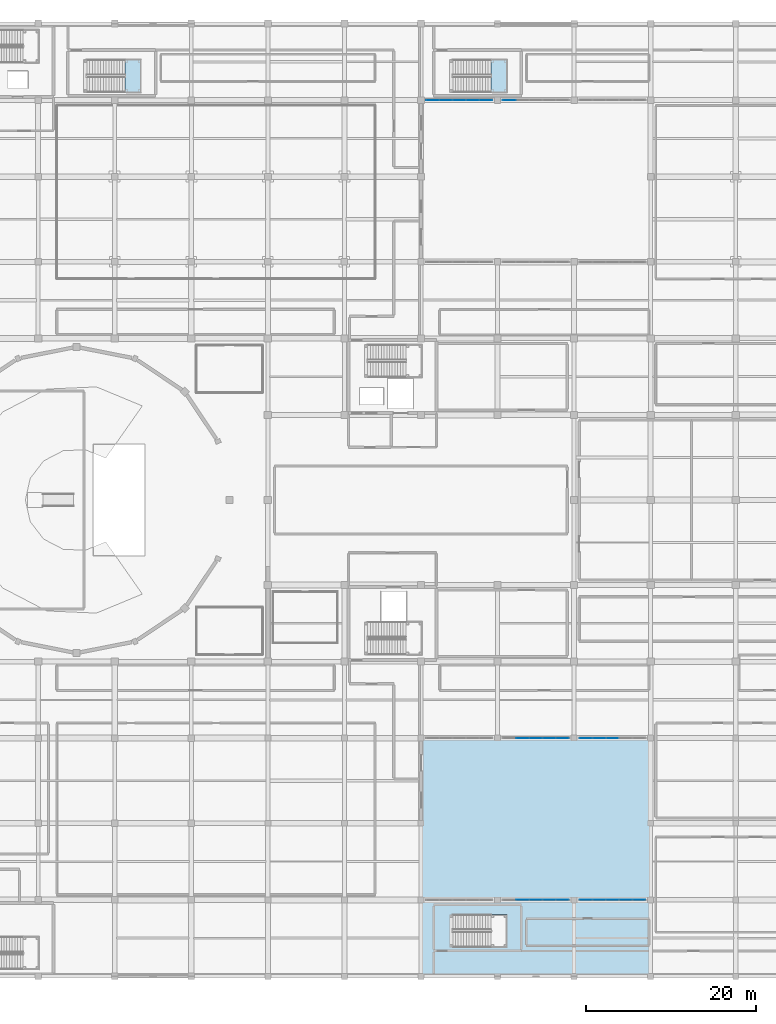
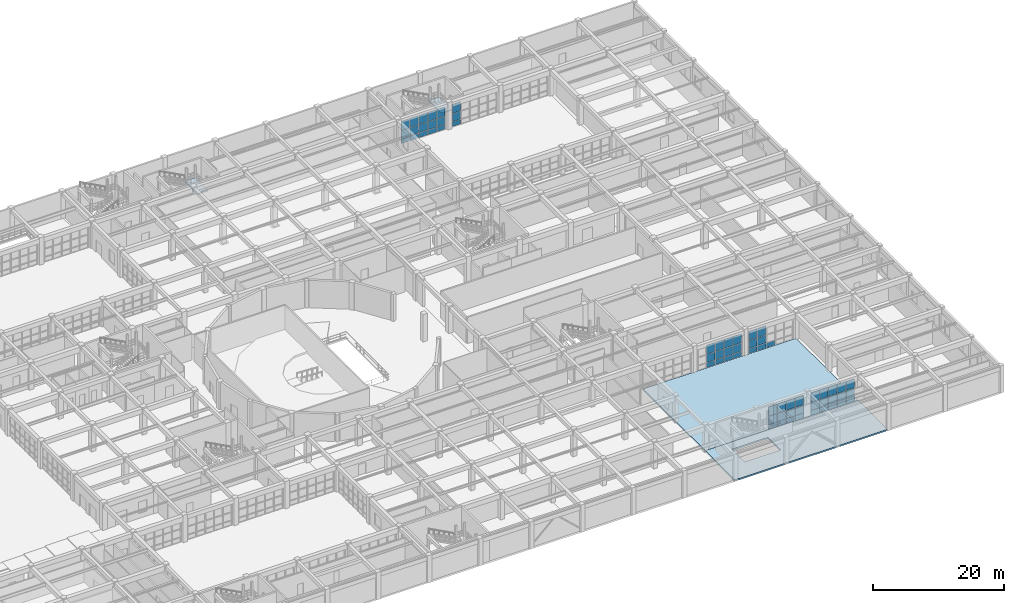
# One storey, part 92 of 128: 64 plates, 4 slabs, 8 elements without a shape of their own.
"""IFC4 building model written with IfcOpenShell, lengths in metres."""

from ifc_helpers import new_model, si_unit, direction, frame, origin, origin_2d, place, context, subcontext, project, spatial, polyline, rectangle, outline, extrude, material, layer, layer_set, type_object, element, aggregate, save


model = new_model("IFC4")

# Units and contexts
model_context = context("Model", 3, precision=1e-05, world=origin(), true_north=direction((0.0, 1.0)))
body_context = subcontext(model_context, "Body", "Model", "MODEL_VIEW")
ifc_project = project(units=[si_unit("LENGTHUNIT", "METRE"), si_unit("AREAUNIT", "SQUARE_METRE"), si_unit("VOLUMEUNIT", "CUBIC_METRE"), si_unit("PLANEANGLEUNIT", "RADIAN"), si_unit("MASSUNIT", "GRAM", prefix="KILO")], contexts=[model_context])

# Site, building, storey
site_placement = place(None, origin())
site = spatial("IfcSite", under=ifc_project, at=site_placement, CompositionType="ELEMENT")
building_placement = place(site_placement, origin())
building = spatial("IfcBuilding", under=site, at=building_placement, Name="Miravela Opera House", CompositionType="ELEMENT")
storey_placement = place(building_placement, origin())
storey = spatial("IfcBuildingStorey", under=building, at=storey_placement, Name="L00", CompositionType="ELEMENT", Elevation=0.0)

# Curtain wall, plates
ifc_material_1 = material(Name="Anodised architectural bronze aluminium 6063-T6", Category="aluminium")
curtain_wall_type_1 = type_object("IfcCurtainWallType", Name="ARC-CW-05", PredefinedType="NOTDEFINED", material=ifc_material_1)
curtain_wall_1_placement = place(storey_placement, origin())
curtain_wall_1 = element("IfcCurtainWall", 1, at=curtain_wall_1_placement, inside=storey, type_object=curtain_wall_type_1, Name="Courtyard Arcade Curtain Wall CW-L00-157", PredefinedType="NOTDEFINED")
ifc_material_2 = material(Name="Acoustic laminated low-E insulating glass", Category="glass")
ifc_layer_1 = layer(ifc_material_2, 0.028076171875)
ifc_layer_set_1 = layer_set([ifc_layer_1])
plate_type = type_object("IfcPlateType", Name="ARC-CWP-28", PredefinedType="CURTAIN_PANEL", material=ifc_layer_set_1)
plate_1_placement = place(storey_placement, frame((118.37890625, 103.0, 0.06005859375), z_axis=(0.0, 0.0, 1.0), x_axis=(1.0, 0.0, 0.0)))
plate_1 = element("IfcPlate", 2, at=plate_1_placement, type_object=plate_type, Name="CW-05 panel 1.1", PredefinedType="CURTAIN_PANEL", context=body_context, shape_type="SweptSolid", body=[
    extrude(rectangle(XDim=1.47802734375, YDim=0.028076171875, at=origin_2d()), origin(), (0.0, 0.0, 1.0), 0.860107421875),
])
plate_2_placement = place(storey_placement, frame((118.37890625, 103.0, 0.97998046875), z_axis=(0.0, 0.0, 1.0), x_axis=(1.0, 0.0, 0.0)))
plate_2 = element("IfcPlate", 3, at=plate_2_placement, type_object=plate_type, Name="CW-05 panel 1.2", PredefinedType="CURTAIN_PANEL", context=body_context, shape_type="SweptSolid", body=[
    extrude(rectangle(XDim=1.47802734375, YDim=0.028076171875, at=origin_2d()), origin(), (0.0, 0.0, 1.0), 1.48388671875),
])
plate_3_placement = place(storey_placement, frame((118.37890625, 103.0, 2.52392578125), z_axis=(0.0, 0.0, 1.0), x_axis=(1.0, 0.0, 0.0)))
plate_3 = element("IfcPlate", 4, at=plate_3_placement, type_object=plate_type, Name="CW-05 panel 1.3", PredefinedType="CURTAIN_PANEL", context=body_context, shape_type="SweptSolid", body=[
    extrude(rectangle(XDim=1.47802734375, YDim=0.028076171875, at=origin_2d()), origin(), (0.0, 0.0, 1.0), 1.716064453125),
])
plate_4_placement = place(storey_placement, frame((119.931884765625, 103.0, 0.06005859375), z_axis=(0.0, 0.0, 1.0), x_axis=(1.0, 0.0, 0.0)))
plate_4 = element("IfcPlate", 5, at=plate_4_placement, type_object=plate_type, Name="CW-05 panel 2.1", PredefinedType="CURTAIN_PANEL", context=body_context, shape_type="SweptSolid", body=[
    extrude(rectangle(XDim=1.508056640625, YDim=0.028076171875, at=origin_2d()), origin(), (0.0, 0.0, 1.0), 0.860107421875),
])
plate_5_placement = place(storey_placement, frame((119.931884765625, 103.0, 0.97998046875), z_axis=(0.0, 0.0, 1.0), x_axis=(1.0, 0.0, 0.0)))
plate_5 = element("IfcPlate", 6, at=plate_5_placement, type_object=plate_type, Name="CW-05 panel 2.2", PredefinedType="CURTAIN_PANEL", context=body_context, shape_type="SweptSolid", body=[
    extrude(rectangle(XDim=1.508056640625, YDim=0.028076171875, at=origin_2d()), origin(), (0.0, 0.0, 1.0), 1.48388671875),
])
plate_6_placement = place(storey_placement, frame((119.931884765625, 103.0, 2.52392578125), z_axis=(0.0, 0.0, 1.0), x_axis=(1.0, 0.0, 0.0)))
plate_6 = element("IfcPlate", 7, at=plate_6_placement, type_object=plate_type, Name="CW-05 panel 2.3", PredefinedType="CURTAIN_PANEL", context=body_context, shape_type="SweptSolid", body=[
    extrude(rectangle(XDim=1.508056640625, YDim=0.028076171875, at=origin_2d()), origin(), (0.0, 0.0, 1.0), 1.716064453125),
])
plate_7_placement = place(storey_placement, frame((121.5, 103.0, 0.06005859375), z_axis=(0.0, 0.0, 1.0), x_axis=(1.0, 0.0, 0.0)))
plate_7 = element("IfcPlate", 8, at=plate_7_placement, type_object=plate_type, Name="CW-05 panel 3.1", PredefinedType="CURTAIN_PANEL", context=body_context, shape_type="SweptSolid", body=[
    extrude(rectangle(XDim=1.508056640625, YDim=0.028076171875, at=origin_2d()), origin(), (0.0, 0.0, 1.0), 0.860107421875),
])
plate_8_placement = place(storey_placement, frame((121.5, 103.0, 0.97998046875), z_axis=(0.0, 0.0, 1.0), x_axis=(1.0, 0.0, 0.0)))
plate_8 = element("IfcPlate", 9, at=plate_8_placement, type_object=plate_type, Name="CW-05 panel 3.2", PredefinedType="CURTAIN_PANEL", context=body_context, shape_type="SweptSolid", body=[
    extrude(rectangle(XDim=1.508056640625, YDim=0.028076171875, at=origin_2d()), origin(), (0.0, 0.0, 1.0), 1.48388671875),
])
plate_9_placement = place(storey_placement, frame((121.5, 103.0, 2.52392578125), z_axis=(0.0, 0.0, 1.0), x_axis=(1.0, 0.0, 0.0)))
plate_9 = element("IfcPlate", 10, at=plate_9_placement, type_object=plate_type, Name="CW-05 panel 3.3", PredefinedType="CURTAIN_PANEL", context=body_context, shape_type="SweptSolid", body=[
    extrude(rectangle(XDim=1.508056640625, YDim=0.028076171875, at=origin_2d()), origin(), (0.0, 0.0, 1.0), 1.716064453125),
])
plate_10_placement = place(storey_placement, frame((123.068115234375, 103.0, 0.06005859375), z_axis=(0.0, 0.0, 1.0), x_axis=(1.0, 0.0, 0.0)))
plate_10 = element("IfcPlate", 11, at=plate_10_placement, type_object=plate_type, Name="CW-05 panel 4.1", PredefinedType="CURTAIN_PANEL", context=body_context, shape_type="SweptSolid", body=[
    extrude(rectangle(XDim=1.508056640625, YDim=0.028076171875, at=origin_2d()), origin(), (0.0, 0.0, 1.0), 0.860107421875),
])
plate_11_placement = place(storey_placement, frame((123.068115234375, 103.0, 0.97998046875), z_axis=(0.0, 0.0, 1.0), x_axis=(1.0, 0.0, 0.0)))
plate_11 = element("IfcPlate", 12, at=plate_11_placement, type_object=plate_type, Name="CW-05 panel 4.2", PredefinedType="CURTAIN_PANEL", context=body_context, shape_type="SweptSolid", body=[
    extrude(rectangle(XDim=1.508056640625, YDim=0.028076171875, at=origin_2d()), origin(), (0.0, 0.0, 1.0), 1.48388671875),
])
plate_12_placement = place(storey_placement, frame((123.068115234375, 103.0, 2.52392578125), z_axis=(0.0, 0.0, 1.0), x_axis=(1.0, 0.0, 0.0)))
plate_12 = element("IfcPlate", 13, at=plate_12_placement, type_object=plate_type, Name="CW-05 panel 4.3", PredefinedType="CURTAIN_PANEL", context=body_context, shape_type="SweptSolid", body=[
    extrude(rectangle(XDim=1.508056640625, YDim=0.028076171875, at=origin_2d()), origin(), (0.0, 0.0, 1.0), 1.716064453125),
])
plate_13_placement = place(storey_placement, frame((124.62109375, 103.0, 0.06005859375), z_axis=(0.0, 0.0, 1.0), x_axis=(1.0, 0.0, 0.0)))
plate_13 = element("IfcPlate", 14, at=plate_13_placement, type_object=plate_type, Name="CW-05 panel 5.1", PredefinedType="CURTAIN_PANEL", context=body_context, shape_type="SweptSolid", body=[
    extrude(rectangle(XDim=1.47802734375, YDim=0.028076171875, at=origin_2d()), origin(), (0.0, 0.0, 1.0), 0.860107421875),
])
plate_14_placement = place(storey_placement, frame((124.62109375, 103.0, 0.97998046875), z_axis=(0.0, 0.0, 1.0), x_axis=(1.0, 0.0, 0.0)))
plate_14 = element("IfcPlate", 15, at=plate_14_placement, type_object=plate_type, Name="CW-05 panel 5.2", PredefinedType="CURTAIN_PANEL", context=body_context, shape_type="SweptSolid", body=[
    extrude(rectangle(XDim=1.47802734375, YDim=0.028076171875, at=origin_2d()), origin(), (0.0, 0.0, 1.0), 1.48388671875),
])
plate_15_placement = place(storey_placement, frame((124.62109375, 103.0, 2.52392578125), z_axis=(0.0, 0.0, 1.0), x_axis=(1.0, 0.0, 0.0)))
plate_15 = element("IfcPlate", 16, at=plate_15_placement, type_object=plate_type, Name="CW-05 panel 5.3", PredefinedType="CURTAIN_PANEL", context=body_context, shape_type="SweptSolid", body=[
    extrude(rectangle(XDim=1.47802734375, YDim=0.028076171875, at=origin_2d()), origin(), (0.0, 0.0, 1.0), 1.716064453125),
])
aggregate(curtain_wall_1, [plate_1, plate_2, plate_3, plate_4, plate_5, plate_6, plate_7, plate_8, plate_9, plate_10, plate_11, plate_12, plate_13, plate_14, plate_15])

curtain_wall_2_placement = place(storey_placement, origin())
curtain_wall_2 = element("IfcCurtainWall", 17, at=curtain_wall_2_placement, inside=storey, type_object=curtain_wall_type_1, Name="Courtyard Arcade Curtain Wall CW-L00-161", PredefinedType="NOTDEFINED")
plate_16_placement = place(storey_placement, frame((127.37890625, 103.0, 0.06005859375), z_axis=(0.0, 0.0, 1.0), x_axis=(1.0, 0.0, 0.0)))
plate_16 = element("IfcPlate", 18, at=plate_16_placement, type_object=plate_type, Name="CW-05 panel 1.1", PredefinedType="CURTAIN_PANEL", context=body_context, shape_type="SweptSolid", body=[
    extrude(rectangle(XDim=1.47802734375, YDim=0.028076171875, at=origin_2d()), origin(), (0.0, 0.0, 1.0), 0.860107421875),
])
plate_17_placement = place(storey_placement, frame((127.37890625, 103.0, 0.97998046875), z_axis=(0.0, 0.0, 1.0), x_axis=(1.0, 0.0, 0.0)))
plate_17 = element("IfcPlate", 19, at=plate_17_placement, type_object=plate_type, Name="CW-05 panel 1.2", PredefinedType="CURTAIN_PANEL", context=body_context, shape_type="SweptSolid", body=[
    extrude(rectangle(XDim=1.47802734375, YDim=0.028076171875, at=origin_2d()), origin(), (0.0, 0.0, 1.0), 1.48388671875),
])
plate_18_placement = place(storey_placement, frame((127.37890625, 103.0, 2.52392578125), z_axis=(0.0, 0.0, 1.0), x_axis=(1.0, 0.0, 0.0)))
plate_18 = element("IfcPlate", 20, at=plate_18_placement, type_object=plate_type, Name="CW-05 panel 1.3", PredefinedType="CURTAIN_PANEL", context=body_context, shape_type="SweptSolid", body=[
    extrude(rectangle(XDim=1.47802734375, YDim=0.028076171875, at=origin_2d()), origin(), (0.0, 0.0, 1.0), 1.716064453125),
])
aggregate(curtain_wall_2, [plate_16, plate_17, plate_18])

curtain_wall_type_2 = type_object("IfcCurtainWallType", Name="ARC-CW-06", PredefinedType="NOTDEFINED", material=ifc_material_1)
curtain_wall_3_placement = place(storey_placement, origin())
curtain_wall_3 = element("IfcCurtainWall", 21, at=curtain_wall_3_placement, inside=storey, type_object=curtain_wall_type_2, Name="Courtyard Arcade Curtain Wall CW-L00-162", PredefinedType="NOTDEFINED")
plate_19_placement = place(storey_placement, frame((128.931884765625, 28.0, 0.06005859375), z_axis=(0.0, 0.0, 1.0), x_axis=(1.0, 0.0, 0.0)))
plate_19 = element("IfcPlate", 22, at=plate_19_placement, type_object=plate_type, Name="CW-06 panel 2.1", PredefinedType="CURTAIN_PANEL", context=body_context, shape_type="SweptSolid", body=[
    extrude(rectangle(XDim=1.508056640625, YDim=0.028076171875, at=origin_2d()), origin(), (0.0, 0.0, 1.0), 0.860107421875),
])
plate_20_placement = place(storey_placement, frame((128.931884765625, 28.0, 0.97998046875), z_axis=(0.0, 0.0, 1.0), x_axis=(1.0, 0.0, 0.0)))
plate_20 = element("IfcPlate", 23, at=plate_20_placement, type_object=plate_type, Name="CW-06 panel 2.2", PredefinedType="CURTAIN_PANEL", context=body_context, shape_type="SweptSolid", body=[
    extrude(rectangle(XDim=1.508056640625, YDim=0.028076171875, at=origin_2d()), origin(), (0.0, 0.0, 1.0), 1.48388671875),
])
plate_21_placement = place(storey_placement, frame((128.931884765625, 28.0, 2.52392578125), z_axis=(0.0, 0.0, 1.0), x_axis=(1.0, 0.0, 0.0)))
plate_21 = element("IfcPlate", 24, at=plate_21_placement, type_object=plate_type, Name="CW-06 panel 2.3", PredefinedType="CURTAIN_PANEL", context=body_context, shape_type="SweptSolid", body=[
    extrude(rectangle(XDim=1.508056640625, YDim=0.028076171875, at=origin_2d()), origin(), (0.0, 0.0, 1.0), 1.716064453125),
])
plate_22_placement = place(storey_placement, frame((130.5, 28.0, 0.06005859375), z_axis=(0.0, 0.0, 1.0), x_axis=(1.0, 0.0, 0.0)))
plate_22 = element("IfcPlate", 25, at=plate_22_placement, type_object=plate_type, Name="CW-06 panel 3.1", PredefinedType="CURTAIN_PANEL", context=body_context, shape_type="SweptSolid", body=[
    extrude(rectangle(XDim=1.508056640625, YDim=0.028076171875, at=origin_2d()), origin(), (0.0, 0.0, 1.0), 0.860107421875),
])
plate_23_placement = place(storey_placement, frame((130.5, 28.0, 0.97998046875), z_axis=(0.0, 0.0, 1.0), x_axis=(1.0, 0.0, 0.0)))
plate_23 = element("IfcPlate", 26, at=plate_23_placement, type_object=plate_type, Name="CW-06 panel 3.2", PredefinedType="CURTAIN_PANEL", context=body_context, shape_type="SweptSolid", body=[
    extrude(rectangle(XDim=1.508056640625, YDim=0.028076171875, at=origin_2d()), origin(), (0.0, 0.0, 1.0), 1.48388671875),
])
plate_24_placement = place(storey_placement, frame((130.5, 28.0, 2.52392578125), z_axis=(0.0, 0.0, 1.0), x_axis=(1.0, 0.0, 0.0)))
plate_24 = element("IfcPlate", 27, at=plate_24_placement, type_object=plate_type, Name="CW-06 panel 3.3", PredefinedType="CURTAIN_PANEL", context=body_context, shape_type="SweptSolid", body=[
    extrude(rectangle(XDim=1.508056640625, YDim=0.028076171875, at=origin_2d()), origin(), (0.0, 0.0, 1.0), 1.716064453125),
])
plate_25_placement = place(storey_placement, frame((132.068115234375, 28.0, 0.06005859375), z_axis=(0.0, 0.0, 1.0), x_axis=(1.0, 0.0, 0.0)))
plate_25 = element("IfcPlate", 28, at=plate_25_placement, type_object=plate_type, Name="CW-06 panel 4.1", PredefinedType="CURTAIN_PANEL", context=body_context, shape_type="SweptSolid", body=[
    extrude(rectangle(XDim=1.508056640625, YDim=0.028076171875, at=origin_2d()), origin(), (0.0, 0.0, 1.0), 0.860107421875),
])
plate_26_placement = place(storey_placement, frame((132.068115234375, 28.0, 0.97998046875), z_axis=(0.0, 0.0, 1.0), x_axis=(1.0, 0.0, 0.0)))
plate_26 = element("IfcPlate", 29, at=plate_26_placement, type_object=plate_type, Name="CW-06 panel 4.2", PredefinedType="CURTAIN_PANEL", context=body_context, shape_type="SweptSolid", body=[
    extrude(rectangle(XDim=1.508056640625, YDim=0.028076171875, at=origin_2d()), origin(), (0.0, 0.0, 1.0), 1.48388671875),
])
plate_27_placement = place(storey_placement, frame((132.068115234375, 28.0, 2.52392578125), z_axis=(0.0, 0.0, 1.0), x_axis=(1.0, 0.0, 0.0)))
plate_27 = element("IfcPlate", 30, at=plate_27_placement, type_object=plate_type, Name="CW-06 panel 4.3", PredefinedType="CURTAIN_PANEL", context=body_context, shape_type="SweptSolid", body=[
    extrude(rectangle(XDim=1.508056640625, YDim=0.028076171875, at=origin_2d()), origin(), (0.0, 0.0, 1.0), 1.716064453125),
])
plate_28_placement = place(storey_placement, frame((133.62109375, 28.0, 0.06005859375), z_axis=(0.0, 0.0, 1.0), x_axis=(1.0, 0.0, 0.0)))
plate_28 = element("IfcPlate", 31, at=plate_28_placement, type_object=plate_type, Name="CW-06 panel 5.1", PredefinedType="CURTAIN_PANEL", context=body_context, shape_type="SweptSolid", body=[
    extrude(rectangle(XDim=1.47802734375, YDim=0.028076171875, at=origin_2d()), origin(), (0.0, 0.0, 1.0), 0.860107421875),
])
plate_29_placement = place(storey_placement, frame((133.62109375, 28.0, 0.97998046875), z_axis=(0.0, 0.0, 1.0), x_axis=(1.0, 0.0, 0.0)))
plate_29 = element("IfcPlate", 32, at=plate_29_placement, type_object=plate_type, Name="CW-06 panel 5.2", PredefinedType="CURTAIN_PANEL", context=body_context, shape_type="SweptSolid", body=[
    extrude(rectangle(XDim=1.47802734375, YDim=0.028076171875, at=origin_2d()), origin(), (0.0, 0.0, 1.0), 1.48388671875),
])
plate_30_placement = place(storey_placement, frame((133.62109375, 28.0, 2.52392578125), z_axis=(0.0, 0.0, 1.0), x_axis=(1.0, 0.0, 0.0)))
plate_30 = element("IfcPlate", 33, at=plate_30_placement, type_object=plate_type, Name="CW-06 panel 5.3", PredefinedType="CURTAIN_PANEL", context=body_context, shape_type="SweptSolid", body=[
    extrude(rectangle(XDim=1.47802734375, YDim=0.028076171875, at=origin_2d()), origin(), (0.0, 0.0, 1.0), 1.716064453125),
])
aggregate(curtain_wall_3, [plate_19, plate_20, plate_21, plate_22, plate_23, plate_24, plate_25, plate_26, plate_27, plate_28, plate_29, plate_30])

curtain_wall_4_placement = place(storey_placement, origin())
curtain_wall_4 = element("IfcCurtainWall", 34, at=curtain_wall_4_placement, inside=storey, type_object=curtain_wall_type_2, Name="Courtyard Arcade Curtain Wall CW-L00-163", PredefinedType="NOTDEFINED")
plate_31_placement = place(storey_placement, frame((128.931884765625, 9.0, 0.06005859375), z_axis=(0.0, 0.0, 1.0), x_axis=(1.0, 0.0, 0.0)))
plate_31 = element("IfcPlate", 35, at=plate_31_placement, type_object=plate_type, Name="CW-06 panel 2.1", PredefinedType="CURTAIN_PANEL", context=body_context, shape_type="SweptSolid", body=[
    extrude(rectangle(XDim=1.508056640625, YDim=0.028076171875, at=origin_2d()), origin(), (0.0, 0.0, 1.0), 0.860107421875),
])
plate_32_placement = place(storey_placement, frame((128.931884765625, 9.0, 0.97998046875), z_axis=(0.0, 0.0, 1.0), x_axis=(1.0, 0.0, 0.0)))
plate_32 = element("IfcPlate", 36, at=plate_32_placement, type_object=plate_type, Name="CW-06 panel 2.2", PredefinedType="CURTAIN_PANEL", context=body_context, shape_type="SweptSolid", body=[
    extrude(rectangle(XDim=1.508056640625, YDim=0.028076171875, at=origin_2d()), origin(), (0.0, 0.0, 1.0), 1.48388671875),
])
plate_33_placement = place(storey_placement, frame((128.931884765625, 9.0, 2.52392578125), z_axis=(0.0, 0.0, 1.0), x_axis=(1.0, 0.0, 0.0)))
plate_33 = element("IfcPlate", 37, at=plate_33_placement, type_object=plate_type, Name="CW-06 panel 2.3", PredefinedType="CURTAIN_PANEL", context=body_context, shape_type="SweptSolid", body=[
    extrude(rectangle(XDim=1.508056640625, YDim=0.028076171875, at=origin_2d()), origin(), (0.0, 0.0, 1.0), 1.716064453125),
])
plate_34_placement = place(storey_placement, frame((130.5, 9.0, 0.06005859375), z_axis=(0.0, 0.0, 1.0), x_axis=(1.0, 0.0, 0.0)))
plate_34 = element("IfcPlate", 38, at=plate_34_placement, type_object=plate_type, Name="CW-06 panel 3.1", PredefinedType="CURTAIN_PANEL", context=body_context, shape_type="SweptSolid", body=[
    extrude(rectangle(XDim=1.508056640625, YDim=0.028076171875, at=origin_2d()), origin(), (0.0, 0.0, 1.0), 0.860107421875),
])
plate_35_placement = place(storey_placement, frame((130.5, 9.0, 0.97998046875), z_axis=(0.0, 0.0, 1.0), x_axis=(1.0, 0.0, 0.0)))
plate_35 = element("IfcPlate", 39, at=plate_35_placement, type_object=plate_type, Name="CW-06 panel 3.2", PredefinedType="CURTAIN_PANEL", context=body_context, shape_type="SweptSolid", body=[
    extrude(rectangle(XDim=1.508056640625, YDim=0.028076171875, at=origin_2d()), origin(), (0.0, 0.0, 1.0), 1.48388671875),
])
plate_36_placement = place(storey_placement, frame((130.5, 9.0, 2.52392578125), z_axis=(0.0, 0.0, 1.0), x_axis=(1.0, 0.0, 0.0)))
plate_36 = element("IfcPlate", 40, at=plate_36_placement, type_object=plate_type, Name="CW-06 panel 3.3", PredefinedType="CURTAIN_PANEL", context=body_context, shape_type="SweptSolid", body=[
    extrude(rectangle(XDim=1.508056640625, YDim=0.028076171875, at=origin_2d()), origin(), (0.0, 0.0, 1.0), 1.716064453125),
])
plate_37_placement = place(storey_placement, frame((132.068115234375, 9.0, 0.06005859375), z_axis=(0.0, 0.0, 1.0), x_axis=(1.0, 0.0, 0.0)))
plate_37 = element("IfcPlate", 41, at=plate_37_placement, type_object=plate_type, Name="CW-06 panel 4.1", PredefinedType="CURTAIN_PANEL", context=body_context, shape_type="SweptSolid", body=[
    extrude(rectangle(XDim=1.508056640625, YDim=0.028076171875, at=origin_2d()), origin(), (0.0, 0.0, 1.0), 0.860107421875),
])
plate_38_placement = place(storey_placement, frame((132.068115234375, 9.0, 0.97998046875), z_axis=(0.0, 0.0, 1.0), x_axis=(1.0, 0.0, 0.0)))
plate_38 = element("IfcPlate", 42, at=plate_38_placement, type_object=plate_type, Name="CW-06 panel 4.2", PredefinedType="CURTAIN_PANEL", context=body_context, shape_type="SweptSolid", body=[
    extrude(rectangle(XDim=1.508056640625, YDim=0.028076171875, at=origin_2d()), origin(), (0.0, 0.0, 1.0), 1.48388671875),
])
plate_39_placement = place(storey_placement, frame((132.068115234375, 9.0, 2.52392578125), z_axis=(0.0, 0.0, 1.0), x_axis=(1.0, 0.0, 0.0)))
plate_39 = element("IfcPlate", 43, at=plate_39_placement, type_object=plate_type, Name="CW-06 panel 4.3", PredefinedType="CURTAIN_PANEL", context=body_context, shape_type="SweptSolid", body=[
    extrude(rectangle(XDim=1.508056640625, YDim=0.028076171875, at=origin_2d()), origin(), (0.0, 0.0, 1.0), 1.716064453125),
])
plate_40_placement = place(storey_placement, frame((133.62109375, 9.0, 0.06005859375), z_axis=(0.0, 0.0, 1.0), x_axis=(1.0, 0.0, 0.0)))
plate_40 = element("IfcPlate", 44, at=plate_40_placement, type_object=plate_type, Name="CW-06 panel 5.1", PredefinedType="CURTAIN_PANEL", context=body_context, shape_type="SweptSolid", body=[
    extrude(rectangle(XDim=1.47802734375, YDim=0.028076171875, at=origin_2d()), origin(), (0.0, 0.0, 1.0), 0.860107421875),
])
plate_41_placement = place(storey_placement, frame((133.62109375, 9.0, 0.97998046875), z_axis=(0.0, 0.0, 1.0), x_axis=(1.0, 0.0, 0.0)))
plate_41 = element("IfcPlate", 45, at=plate_41_placement, type_object=plate_type, Name="CW-06 panel 5.2", PredefinedType="CURTAIN_PANEL", context=body_context, shape_type="SweptSolid", body=[
    extrude(rectangle(XDim=1.47802734375, YDim=0.028076171875, at=origin_2d()), origin(), (0.0, 0.0, 1.0), 1.48388671875),
])
plate_42_placement = place(storey_placement, frame((133.62109375, 9.0, 2.52392578125), z_axis=(0.0, 0.0, 1.0), x_axis=(1.0, 0.0, 0.0)))
plate_42 = element("IfcPlate", 46, at=plate_42_placement, type_object=plate_type, Name="CW-06 panel 5.3", PredefinedType="CURTAIN_PANEL", context=body_context, shape_type="SweptSolid", body=[
    extrude(rectangle(XDim=1.47802734375, YDim=0.028076171875, at=origin_2d()), origin(), (0.0, 0.0, 1.0), 1.716064453125),
])
aggregate(curtain_wall_4, [plate_31, plate_32, plate_33, plate_34, plate_35, plate_36, plate_37, plate_38, plate_39, plate_40, plate_41, plate_42])

curtain_wall_5_placement = place(storey_placement, origin())
curtain_wall_5 = element("IfcCurtainWall", 47, at=curtain_wall_5_placement, inside=storey, type_object=curtain_wall_type_2, Name="Courtyard Arcade Curtain Wall CW-L00-166", PredefinedType="NOTDEFINED")
plate_43_placement = place(storey_placement, frame((136.37890625, 28.0, 0.06005859375), z_axis=(0.0, 0.0, 1.0), x_axis=(1.0, 0.0, 0.0)))
plate_43 = element("IfcPlate", 48, at=plate_43_placement, type_object=plate_type, Name="CW-06 panel 1.1", PredefinedType="CURTAIN_PANEL", context=body_context, shape_type="SweptSolid", body=[
    extrude(rectangle(XDim=1.47802734375, YDim=0.028076171875, at=origin_2d()), origin(), (0.0, 0.0, 1.0), 0.860107421875),
])
plate_44_placement = place(storey_placement, frame((136.37890625, 28.0, 0.97998046875), z_axis=(0.0, 0.0, 1.0), x_axis=(1.0, 0.0, 0.0)))
plate_44 = element("IfcPlate", 49, at=plate_44_placement, type_object=plate_type, Name="CW-06 panel 1.2", PredefinedType="CURTAIN_PANEL", context=body_context, shape_type="SweptSolid", body=[
    extrude(rectangle(XDim=1.47802734375, YDim=0.028076171875, at=origin_2d()), origin(), (0.0, 0.0, 1.0), 1.48388671875),
])
plate_45_placement = place(storey_placement, frame((136.37890625, 28.0, 2.52392578125), z_axis=(0.0, 0.0, 1.0), x_axis=(1.0, 0.0, 0.0)))
plate_45 = element("IfcPlate", 50, at=plate_45_placement, type_object=plate_type, Name="CW-06 panel 1.3", PredefinedType="CURTAIN_PANEL", context=body_context, shape_type="SweptSolid", body=[
    extrude(rectangle(XDim=1.47802734375, YDim=0.028076171875, at=origin_2d()), origin(), (0.0, 0.0, 1.0), 1.716064453125),
])
plate_46_placement = place(storey_placement, frame((137.931884765625, 28.0, 0.06005859375), z_axis=(0.0, 0.0, 1.0), x_axis=(1.0, 0.0, 0.0)))
plate_46 = element("IfcPlate", 51, at=plate_46_placement, type_object=plate_type, Name="CW-06 panel 2.1", PredefinedType="CURTAIN_PANEL", context=body_context, shape_type="SweptSolid", body=[
    extrude(rectangle(XDim=1.508056640625, YDim=0.028076171875, at=origin_2d()), origin(), (0.0, 0.0, 1.0), 0.860107421875),
])
plate_47_placement = place(storey_placement, frame((137.931884765625, 28.0, 0.97998046875), z_axis=(0.0, 0.0, 1.0), x_axis=(1.0, 0.0, 0.0)))
plate_47 = element("IfcPlate", 52, at=plate_47_placement, type_object=plate_type, Name="CW-06 panel 2.2", PredefinedType="CURTAIN_PANEL", context=body_context, shape_type="SweptSolid", body=[
    extrude(rectangle(XDim=1.508056640625, YDim=0.028076171875, at=origin_2d()), origin(), (0.0, 0.0, 1.0), 1.48388671875),
])
plate_48_placement = place(storey_placement, frame((137.931884765625, 28.0, 2.52392578125), z_axis=(0.0, 0.0, 1.0), x_axis=(1.0, 0.0, 0.0)))
plate_48 = element("IfcPlate", 53, at=plate_48_placement, type_object=plate_type, Name="CW-06 panel 2.3", PredefinedType="CURTAIN_PANEL", context=body_context, shape_type="SweptSolid", body=[
    extrude(rectangle(XDim=1.508056640625, YDim=0.028076171875, at=origin_2d()), origin(), (0.0, 0.0, 1.0), 1.716064453125),
])
plate_49_placement = place(storey_placement, frame((139.5, 28.0, 0.06005859375), z_axis=(0.0, 0.0, 1.0), x_axis=(1.0, 0.0, 0.0)))
plate_49 = element("IfcPlate", 54, at=plate_49_placement, type_object=plate_type, Name="CW-06 panel 3.1", PredefinedType="CURTAIN_PANEL", context=body_context, shape_type="SweptSolid", body=[
    extrude(rectangle(XDim=1.508056640625, YDim=0.028076171875, at=origin_2d()), origin(), (0.0, 0.0, 1.0), 0.860107421875),
])
aggregate(curtain_wall_5, [plate_43, plate_44, plate_45, plate_46, plate_47, plate_48, plate_49])

curtain_wall_6_placement = place(storey_placement, origin())
curtain_wall_6 = element("IfcCurtainWall", 55, at=curtain_wall_6_placement, inside=storey, type_object=curtain_wall_type_2, Name="Courtyard Arcade Curtain Wall CW-L00-167", PredefinedType="NOTDEFINED")
plate_50_placement = place(storey_placement, frame((136.37890625, 9.0, 0.06005859375), z_axis=(0.0, 0.0, 1.0), x_axis=(1.0, 0.0, 0.0)))
plate_50 = element("IfcPlate", 56, at=plate_50_placement, type_object=plate_type, Name="CW-06 panel 1.1", PredefinedType="CURTAIN_PANEL", context=body_context, shape_type="SweptSolid", body=[
    extrude(rectangle(XDim=1.47802734375, YDim=0.028076171875, at=origin_2d()), origin(), (0.0, 0.0, 1.0), 0.860107421875),
])
plate_51_placement = place(storey_placement, frame((136.37890625, 9.0, 0.97998046875), z_axis=(0.0, 0.0, 1.0), x_axis=(1.0, 0.0, 0.0)))
plate_51 = element("IfcPlate", 57, at=plate_51_placement, type_object=plate_type, Name="CW-06 panel 1.2", PredefinedType="CURTAIN_PANEL", context=body_context, shape_type="SweptSolid", body=[
    extrude(rectangle(XDim=1.47802734375, YDim=0.028076171875, at=origin_2d()), origin(), (0.0, 0.0, 1.0), 1.48388671875),
])
plate_52_placement = place(storey_placement, frame((136.37890625, 9.0, 2.52392578125), z_axis=(0.0, 0.0, 1.0), x_axis=(1.0, 0.0, 0.0)))
plate_52 = element("IfcPlate", 58, at=plate_52_placement, type_object=plate_type, Name="CW-06 panel 1.3", PredefinedType="CURTAIN_PANEL", context=body_context, shape_type="SweptSolid", body=[
    extrude(rectangle(XDim=1.47802734375, YDim=0.028076171875, at=origin_2d()), origin(), (0.0, 0.0, 1.0), 1.716064453125),
])
plate_53_placement = place(storey_placement, frame((137.931884765625, 9.0, 0.06005859375), z_axis=(0.0, 0.0, 1.0), x_axis=(1.0, 0.0, 0.0)))
plate_53 = element("IfcPlate", 59, at=plate_53_placement, type_object=plate_type, Name="CW-06 panel 2.1", PredefinedType="CURTAIN_PANEL", context=body_context, shape_type="SweptSolid", body=[
    extrude(rectangle(XDim=1.508056640625, YDim=0.028076171875, at=origin_2d()), origin(), (0.0, 0.0, 1.0), 0.860107421875),
])
plate_54_placement = place(storey_placement, frame((137.931884765625, 9.0, 0.97998046875), z_axis=(0.0, 0.0, 1.0), x_axis=(1.0, 0.0, 0.0)))
plate_54 = element("IfcPlate", 60, at=plate_54_placement, type_object=plate_type, Name="CW-06 panel 2.2", PredefinedType="CURTAIN_PANEL", context=body_context, shape_type="SweptSolid", body=[
    extrude(rectangle(XDim=1.508056640625, YDim=0.028076171875, at=origin_2d()), origin(), (0.0, 0.0, 1.0), 1.48388671875),
])
plate_55_placement = place(storey_placement, frame((137.931884765625, 9.0, 2.52392578125), z_axis=(0.0, 0.0, 1.0), x_axis=(1.0, 0.0, 0.0)))
plate_55 = element("IfcPlate", 61, at=plate_55_placement, type_object=plate_type, Name="CW-06 panel 2.3", PredefinedType="CURTAIN_PANEL", context=body_context, shape_type="SweptSolid", body=[
    extrude(rectangle(XDim=1.508056640625, YDim=0.028076171875, at=origin_2d()), origin(), (0.0, 0.0, 1.0), 1.716064453125),
])
plate_56_placement = place(storey_placement, frame((139.5, 9.0, 0.06005859375), z_axis=(0.0, 0.0, 1.0), x_axis=(1.0, 0.0, 0.0)))
plate_56 = element("IfcPlate", 62, at=plate_56_placement, type_object=plate_type, Name="CW-06 panel 3.1", PredefinedType="CURTAIN_PANEL", context=body_context, shape_type="SweptSolid", body=[
    extrude(rectangle(XDim=1.508056640625, YDim=0.028076171875, at=origin_2d()), origin(), (0.0, 0.0, 1.0), 0.860107421875),
])
plate_57_placement = place(storey_placement, frame((139.5, 9.0, 0.97998046875), z_axis=(0.0, 0.0, 1.0), x_axis=(1.0, 0.0, 0.0)))
plate_57 = element("IfcPlate", 63, at=plate_57_placement, type_object=plate_type, Name="CW-06 panel 3.2", PredefinedType="CURTAIN_PANEL", context=body_context, shape_type="SweptSolid", body=[
    extrude(rectangle(XDim=1.508056640625, YDim=0.028076171875, at=origin_2d()), origin(), (0.0, 0.0, 1.0), 1.48388671875),
])
plate_58_placement = place(storey_placement, frame((139.5, 9.0, 2.52392578125), z_axis=(0.0, 0.0, 1.0), x_axis=(1.0, 0.0, 0.0)))
plate_58 = element("IfcPlate", 64, at=plate_58_placement, type_object=plate_type, Name="CW-06 panel 3.3", PredefinedType="CURTAIN_PANEL", context=body_context, shape_type="SweptSolid", body=[
    extrude(rectangle(XDim=1.508056640625, YDim=0.028076171875, at=origin_2d()), origin(), (0.0, 0.0, 1.0), 1.716064453125),
])
plate_59_placement = place(storey_placement, frame((141.068115234375, 9.0, 0.06005859375), z_axis=(0.0, 0.0, 1.0), x_axis=(1.0, 0.0, 0.0)))
plate_59 = element("IfcPlate", 65, at=plate_59_placement, type_object=plate_type, Name="CW-06 panel 4.1", PredefinedType="CURTAIN_PANEL", context=body_context, shape_type="SweptSolid", body=[
    extrude(rectangle(XDim=1.508056640625, YDim=0.028076171875, at=origin_2d()), origin(), (0.0, 0.0, 1.0), 0.860107421875),
])
plate_60_placement = place(storey_placement, frame((141.068115234375, 9.0, 0.97998046875), z_axis=(0.0, 0.0, 1.0), x_axis=(1.0, 0.0, 0.0)))
plate_60 = element("IfcPlate", 66, at=plate_60_placement, type_object=plate_type, Name="CW-06 panel 4.2", PredefinedType="CURTAIN_PANEL", context=body_context, shape_type="SweptSolid", body=[
    extrude(rectangle(XDim=1.508056640625, YDim=0.028076171875, at=origin_2d()), origin(), (0.0, 0.0, 1.0), 1.48388671875),
])
plate_61_placement = place(storey_placement, frame((141.068115234375, 9.0, 2.52392578125), z_axis=(0.0, 0.0, 1.0), x_axis=(1.0, 0.0, 0.0)))
plate_61 = element("IfcPlate", 67, at=plate_61_placement, type_object=plate_type, Name="CW-06 panel 4.3", PredefinedType="CURTAIN_PANEL", context=body_context, shape_type="SweptSolid", body=[
    extrude(rectangle(XDim=1.508056640625, YDim=0.028076171875, at=origin_2d()), origin(), (0.0, 0.0, 1.0), 1.716064453125),
])
plate_62_placement = place(storey_placement, frame((142.62109375, 9.0, 0.06005859375), z_axis=(0.0, 0.0, 1.0), x_axis=(1.0, 0.0, 0.0)))
plate_62 = element("IfcPlate", 68, at=plate_62_placement, type_object=plate_type, Name="CW-06 panel 5.1", PredefinedType="CURTAIN_PANEL", context=body_context, shape_type="SweptSolid", body=[
    extrude(rectangle(XDim=1.47802734375, YDim=0.028076171875, at=origin_2d()), origin(), (0.0, 0.0, 1.0), 0.860107421875),
])
plate_63_placement = place(storey_placement, frame((142.62109375, 9.0, 0.97998046875), z_axis=(0.0, 0.0, 1.0), x_axis=(1.0, 0.0, 0.0)))
plate_63 = element("IfcPlate", 69, at=plate_63_placement, type_object=plate_type, Name="CW-06 panel 5.2", PredefinedType="CURTAIN_PANEL", context=body_context, shape_type="SweptSolid", body=[
    extrude(rectangle(XDim=1.47802734375, YDim=0.028076171875, at=origin_2d()), origin(), (0.0, 0.0, 1.0), 1.48388671875),
])
plate_64_placement = place(storey_placement, frame((142.62109375, 9.0, 2.52392578125), z_axis=(0.0, 0.0, 1.0), x_axis=(1.0, 0.0, 0.0)))
plate_64 = element("IfcPlate", 70, at=plate_64_placement, type_object=plate_type, Name="CW-06 panel 5.3", PredefinedType="CURTAIN_PANEL", context=body_context, shape_type="SweptSolid", body=[
    extrude(rectangle(XDim=1.47802734375, YDim=0.028076171875, at=origin_2d()), origin(), (0.0, 0.0, 1.0), 1.716064453125),
])
aggregate(curtain_wall_6, [plate_50, plate_51, plate_52, plate_53, plate_54, plate_55, plate_56, plate_57, plate_58, plate_59, plate_60, plate_61, plate_62, plate_63, plate_64])

# Stair, slab
ifc_material_3 = material(Name="Concrete C35/45", Category="concrete")
stair_type = type_object("IfcStairType", Name="ARC-STAIR-WING-1680", PredefinedType="HALF_TURN_STAIR", material=ifc_material_3)
stair_1_placement = place(storey_placement, origin())
stair_1 = element("IfcStair", 71, at=stair_1_placement, inside=storey, type_object=stair_type, Name="L00 North Wing West Exit Stair ST-07", PredefinedType="HALF_TURN_STAIR")
ifc_layer_2 = layer(ifc_material_3, 0.215087890625)
ifc_layer_set_2 = layer_set([ifc_layer_2])
slab_type_1 = type_object("IfcSlabType", Name="ARC-LANDING-215", PredefinedType="LANDING", material=ifc_layer_set_2)
slab_1_placement = place(storey_placement, frame((0.0, 0.0, 2.3349609375)))
slab_1 = element("IfcSlab", 72, at=slab_1_placement, type_object=slab_type_1, Name="ST-07 landing 1", PredefinedType="LANDING", context=body_context, shape_type="SweptSolid", body=[
    extrude(outline(polyline([(82.219970703125, 103.89990234375), (84.10009765625, 103.89990234375), (84.10009765625, 107.780029296875), (82.219970703125, 107.780029296875), (82.219970703125, 103.89990234375)])), origin(), (0.0, 0.0, 1.0), 0.215087890625),
])
aggregate(stair_1, [slab_1])

stair_2_placement = place(storey_placement, origin())
stair_2 = element("IfcStair", 73, at=stair_2_placement, inside=storey, type_object=stair_type, Name="L00 East Rehearsal Wing Exit Stair ST-09", PredefinedType="HALF_TURN_STAIR")
slab_2_placement = place(storey_placement, frame((0.0, 0.0, 2.3349609375)))
slab_2 = element("IfcSlab", 74, at=slab_2_placement, type_object=slab_type_1, Name="ST-09 landing 1", PredefinedType="LANDING", context=body_context, shape_type="SweptSolid", body=[
    extrude(outline(polyline([(125.219970703125, 103.89990234375), (127.10009765625, 103.89990234375), (127.10009765625, 107.780029296875), (125.219970703125, 107.780029296875), (125.219970703125, 103.89990234375)])), origin(), (0.0, 0.0, 1.0), 0.215087890625),
])
aggregate(stair_2, [slab_2])

# Slabs
ifc_layer_3 = layer(ifc_material_3, 0.280029296875)
ifc_layer_set_3 = layer_set([ifc_layer_3])
slab_type_2 = type_object("IfcSlabType", Name="STR-SLAB-L00-280", PredefinedType="FLOOR", material=ifc_layer_set_3)
slab_3_placement = place(storey_placement, frame((0.0, 0.0, -0.280029296875)))
element("IfcSlab", 75, at=slab_3_placement, inside=storey, type_object=slab_type_2, Name="Ground Level Slab SLAB-L00-V4T", PredefinedType="FLOOR", context=body_context, shape_type="SweptSolid", body=[
    extrude(outline(polyline([(117.0, 0.0), (144.0, 0.0), (144.0, 9.0), (117.0, 9.0), (117.0, 0.0)]), holes=[polyline([(120.739990234375, 3.39990234375), (127.10009765625, 3.39990234375), (127.10009765625, 7.280029296875), (120.739990234375, 7.280029296875), (120.739990234375, 3.39990234375)])]), origin(), (0.0, 0.0, 1.0), 0.280029296875),
])
ifc_layer_4 = layer(ifc_material_3, 0.27001953125)
ifc_layer_set_4 = layer_set([ifc_layer_4])
slab_type_3 = type_object("IfcSlabType", Name="STR-SLAB-TERR-270", PredefinedType="FLOOR", material=ifc_layer_set_4)
slab_4_placement = place(storey_placement, frame((0.0, 0.0, -0.27001953125)))
element("IfcSlab", 76, at=slab_4_placement, inside=storey, type_object=slab_type_3, Name="Ground Level Slab SLAB-L00-EXT-SEC", PredefinedType="FLOOR", context=body_context, shape_type="SweptSolid", body=[
    extrude(outline(polyline([(117.0, 9.0), (144.0, 9.0), (144.0, 28.0), (117.0, 28.0), (117.0, 9.0)])), origin(), (0.0, 0.0, 1.0), 0.27001953125),
])

save(model, "model.ifc")
